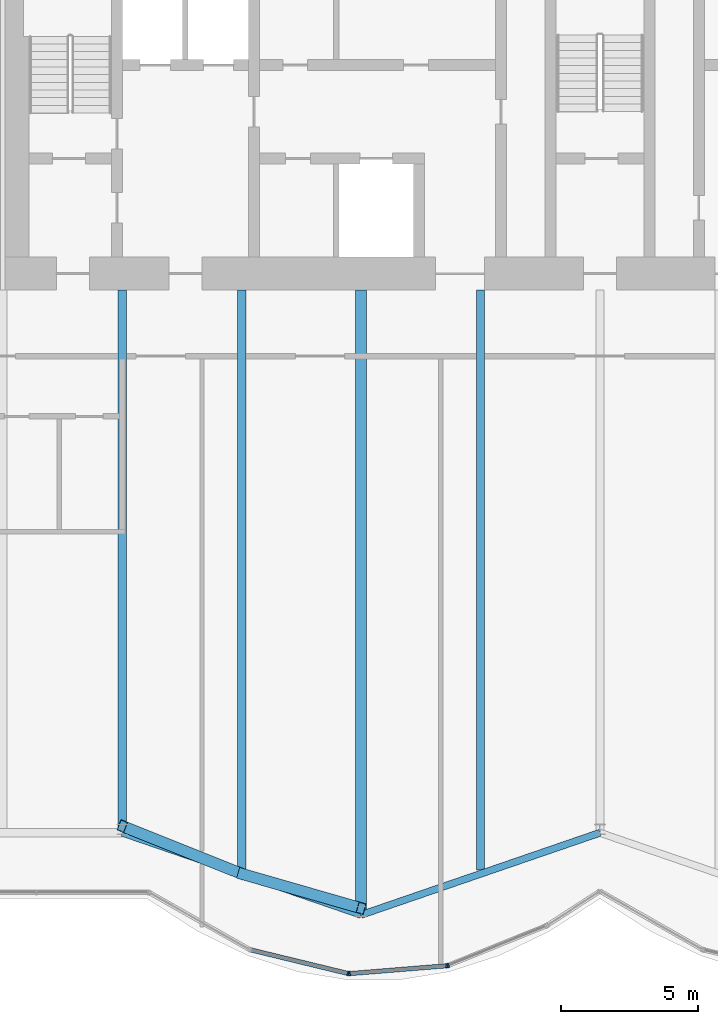
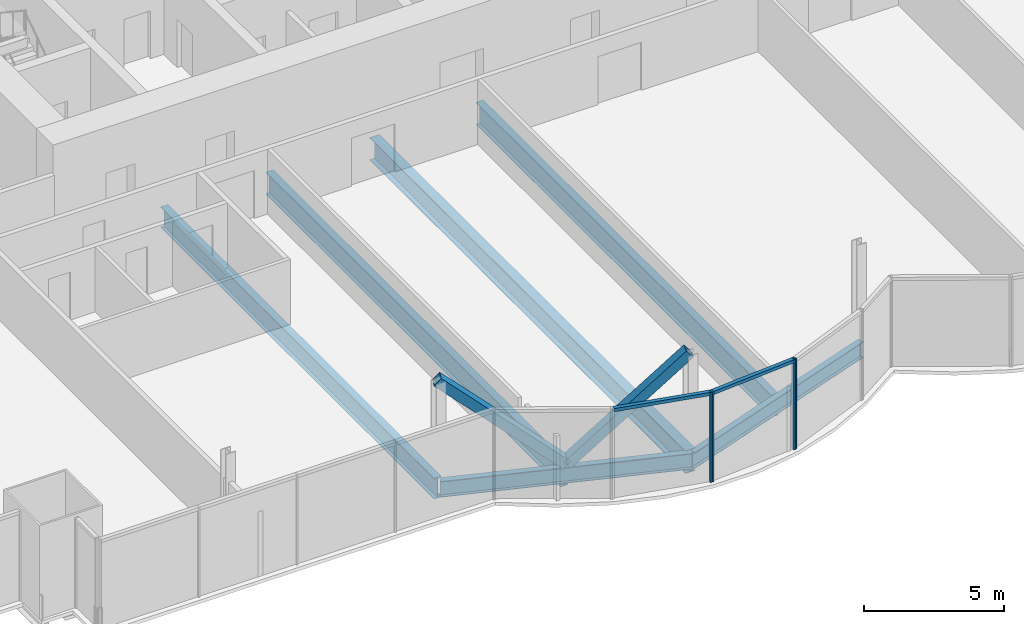
# One storey, part 6 of 21: 8 members, 6 beams, 1 element without a shape of its own.
"""IFC4 building model written with IfcOpenShell, lengths in metres."""

from ifc_helpers import new_model, si_unit, direction, frame, origin, origin_2d, place, context, subcontext, project, spatial, rectangle, hollow_rectangle, i_section, extrude, material, material_profile, profile_set, type_object, element, aggregate, save


model = new_model("IFC4")

# Units and contexts
model_context = context("Model", 3, precision=1e-05, world=origin(), true_north=direction((0.0, 1.0)))
body_context = subcontext(model_context, "Body", "Model", "MODEL_VIEW")
ifc_project = project(units=[si_unit("LENGTHUNIT", "METRE"), si_unit("AREAUNIT", "SQUARE_METRE"), si_unit("VOLUMEUNIT", "CUBIC_METRE"), si_unit("PLANEANGLEUNIT", "RADIAN"), si_unit("MASSUNIT", "GRAM", prefix="KILO")], contexts=[model_context])

# Site, building, storey
site_placement = place(None, origin())
site = spatial("IfcSite", under=ifc_project, at=site_placement, CompositionType="ELEMENT")
building_placement = place(site_placement, origin())
building = spatial("IfcBuilding", under=site, at=building_placement, Name="Bicima Exchange Tower", CompositionType="ELEMENT")
storey_placement = place(building_placement, frame((0.0, 0.0, 156.800048828125)))
storey = spatial("IfcBuildingStorey", under=building, at=storey_placement, Name="L34", CompositionType="ELEMENT", Elevation=156.800048828125)

# Beams
ifc_material_1 = material(Name="Steel ASTM A992 Gr 50", Category="steel")
ifc_material_profile_1 = material_profile(ifc_material_1, i_section(OverallWidth=0.3046875, OverallDepth=0.904296875, WebThickness=0.01513671875, FlangeThickness=0.02001953125, at=origin_2d()))
ifc_profile_set_1 = profile_set([ifc_material_profile_1], Name="Steel ASTM A992 Gr 50")
beam_type_1 = type_object("IfcBeamType", Name="Floor beam W36x135", PredefinedType="JOIST", material=ifc_profile_set_1)
beam_1_placement = place(storey_placement, frame((-17.39990234375, -13.0, -0.60205078125), z_axis=(0.0, -1.0, 0.0), x_axis=(1.0, 0.0, 0.0)))
element("IfcBeam", 1, at=beam_1_placement, inside=storey, type_object=beam_type_1, Name="Floor beam", PredefinedType="JOIST", context=body_context, shape_type="SweptSolid", body=[
    extrude(i_section(OverallWidth=0.3046875, OverallDepth=0.904296875, WebThickness=0.01513671875, FlangeThickness=0.02001953125, at=origin_2d()), origin(), (0.0, 0.0, 1.0), 19.60546875),
])
ifc_material_profile_2 = material_profile(ifc_material_1, i_section(OverallWidth=0.2998046875, OverallDepth=0.97021484375, WebThickness=0.01611328125, FlangeThickness=0.02099609375, at=origin_2d()))
ifc_profile_set_2 = profile_set([ifc_material_profile_2], Name="Steel ASTM A992 Gr 50")
beam_type_2 = type_object("IfcBeamType", Name="Floor beam W40x149", PredefinedType="JOIST", material=ifc_profile_set_2)
for number, where, z_axis, x_axis, name in (
    (2, (-13.050048828125, -13.0, -0.63525390625), (0.0, -1.0, 0.0), (1.0, 0.0, 0.0), "Floor beam"),
    (3, (-4.35009765625, -13.0, -0.63525390625), (0.0, -1.0, 0.0), (1.0, 0.0, 0.0), "Floor beam"),
):
    element("IfcBeam", number, at=place(storey_placement, frame(where, z_axis=z_axis, x_axis=x_axis)), inside=storey, type_object=beam_type_2, Name=name, PredefinedType="JOIST", context=body_context, shape_type="SweptSolid", body=[
        extrude(i_section(OverallWidth=0.2998046875, OverallDepth=0.97021484375, WebThickness=0.01611328125, FlangeThickness=0.02099609375, at=origin_2d()), origin(), (0.0, 0.0, 1.0), 21.1279296875),
    ])
ifc_material_profile_3 = material_profile(ifc_material_1, i_section(OverallWidth=0.4013671875, OverallDepth=0.990478515625, WebThickness=0.0166015625, FlangeThickness=0.031005859375, at=origin_2d()))
ifc_profile_set_3 = profile_set([ifc_material_profile_3], Name="Steel ASTM A992 Gr 50")
beam_type_3 = type_object("IfcBeamType", Name="Floor beam W40x215", PredefinedType="JOIST", material=ifc_profile_set_3)
beam_2_placement = place(storey_placement, frame((-8.699951171875, -13.0, -0.645263671875), z_axis=(0.0, -1.0, 0.0), x_axis=(1.0, 0.0, 0.0)))
element("IfcBeam", 4, at=beam_2_placement, inside=storey, type_object=beam_type_3, Name="Floor beam", PredefinedType="JOIST", context=body_context, shape_type="SweptSolid", body=[
    extrude(i_section(OverallWidth=0.4013671875, OverallDepth=0.990478515625, WebThickness=0.0166015625, FlangeThickness=0.031005859375, at=origin_2d()), origin(), (0.0, 0.0, 1.0), 22.623291015625),
])
ifc_material_profile_4 = material_profile(ifc_material_1, i_section(OverallWidth=0.256591796875, OverallDepth=0.693359375, WebThickness=0.014404296875, FlangeThickness=0.023681640625, at=origin_2d()))
ifc_profile_set_4 = profile_set([ifc_material_profile_4], Name="Steel ASTM A992 Gr 50")
beam_type_4 = type_object("IfcBeamType", Name="Front girder W27x114", PredefinedType="BEAM", material=ifc_profile_set_4)
for number, where, z_axis, x_axis, name in (
    (5, (-17.39990234375, -32.76806640625, -0.496826171875), (0.945674616091, -0.32511462668, 0.0), (0.32511462668, 0.945674616091, 0.0), "Front girder"),
    (6, (-8.699951171875, -35.759033203125, -0.496826171875), (0.945674616091, 0.32511462668, 0.0), (-0.32511462668, 0.945674616091, 0.0), "Front girder"),
):
    element("IfcBeam", number, at=place(storey_placement, frame(where, z_axis=z_axis, x_axis=x_axis)), inside=storey, type_object=beam_type_4, Name=name, PredefinedType="BEAM", context=body_context, shape_type="SweptSolid", body=[
        extrude(i_section(OverallWidth=0.256591796875, OverallDepth=0.693359375, WebThickness=0.014404296875, FlangeThickness=0.023681640625, at=origin_2d()), origin(), (0.0, 0.0, 1.0), 9.19970703125),
    ])

# Curtain wall, members
ifc_material_2 = material(Name="Anodised bronze aluminium", Category="aluminium")
curtain_wall_type = type_object("IfcCurtainWallType", Name="Front glass wall", PredefinedType="NOTDEFINED", material=ifc_material_2)
curtain_wall_placement = place(storey_placement, origin())
curtain_wall = element("IfcCurtainWall", 7, at=curtain_wall_placement, inside=storey, type_object=curtain_wall_type, Name="Front glass wall L34 run 6", PredefinedType="NOTDEFINED")
ifc_material_profile_5 = material_profile(ifc_material_2, rectangle(XDim=0.159912109375, YDim=0.06005859375, at=origin_2d()))
ifc_profile_set_5 = profile_set([ifc_material_profile_5], Name="Anodised bronze aluminium")
member_type_1 = type_object("IfcMemberType", Name="Front glass wall mullion 60 x 160", PredefinedType="MULLION", material=ifc_profile_set_5)
member_1_placement = place(storey_placement, frame((-9.177490234375, -37.893798828125, 0.0), z_axis=(0.0, 0.0, 1.0), x_axis=(0.235681529503, 0.971830343553, 0.0)))
member_1 = element("IfcMember", 8, at=member_1_placement, type_object=member_type_1, Name="Front glass wall mullion 2", PredefinedType="MULLION", context=body_context, shape_type="SweptSolid", body=[
    extrude(rectangle(XDim=0.159912109375, YDim=0.06005859375, at=origin_2d()), origin(), (0.0, 0.0, 1.0), 3.949951171875),
])
member_2_placement = place(storey_placement, frame((-9.118408203125, -37.898681640625, 0.0), z_axis=(0.0, 0.0, 1.0), x_axis=(-0.080588612633, 0.99674744821, 0.0)))
member_2 = element("IfcMember", 9, at=member_2_placement, type_object=member_type_1, Name="Front glass wall mullion 1", PredefinedType="MULLION", context=body_context, shape_type="SweptSolid", body=[
    extrude(rectangle(XDim=0.159912109375, YDim=0.06005859375, at=origin_2d()), origin(), (0.0, 0.0, 1.0), 3.949951171875),
])
member_3_placement = place(storey_placement, frame((-5.583984375, -37.61279296875, 0.0), z_axis=(0.0, 0.0, 1.0), x_axis=(-0.080588612633, 0.99674744821, 0.0)))
member_3 = element("IfcMember", 10, at=member_3_placement, type_object=member_type_1, Name="Front glass wall mullion 2", PredefinedType="MULLION", context=body_context, shape_type="SweptSolid", body=[
    extrude(rectangle(XDim=0.159912109375, YDim=0.06005859375, at=origin_2d()), origin(), (0.0, 0.0, 1.0), 3.949951171875),
])
member_4_placement = place(storey_placement, frame((-5.526123046875, -37.59912109375, 0.0), z_axis=(0.0, 0.0, 1.0), x_axis=(-0.374705304, 0.92714396679, 0.0)))
member_4 = element("IfcMember", 11, at=member_4_placement, type_object=member_type_1, Name="Front glass wall mullion 1", PredefinedType="MULLION", context=body_context, shape_type="SweptSolid", body=[
    extrude(rectangle(XDim=0.159912109375, YDim=0.06005859375, at=origin_2d()), origin(), (0.0, 0.0, 1.0), 3.949951171875),
])
ifc_material_profile_6 = material_profile(ifc_material_2, rectangle(XDim=0.159912109375, YDim=0.139892578125, at=origin_2d()))
ifc_profile_set_6 = profile_set([ifc_material_profile_6], Name="Anodised bronze aluminium")
member_type_2 = type_object("IfcMemberType", Name="Front glass wall transom 140 x 160", PredefinedType="USERDEFINED", material=ifc_profile_set_6)
member_5_placement = place(storey_placement, frame((-12.68896484375, -37.042236328125, 3.8798828125), z_axis=(0.971817951661, -0.235732621477, 0.0), x_axis=(0.235732621477, 0.971817951661, 0.0)))
member_5 = element("IfcMember", 12, at=member_5_placement, type_object=member_type_2, Name="Front glass wall transom 1.1", ObjectType="TRANSOM", PredefinedType="USERDEFINED", context=body_context, shape_type="SweptSolid", body=[
    extrude(rectangle(XDim=0.159912109375, YDim=0.139892578125, at=origin_2d()), origin(), (0.0, 0.0, 1.0), 3.58349609375),
])
member_6_placement = place(storey_placement, frame((-9.08837890625, -37.896240234375, 3.8798828125), z_axis=(0.9967456465, 0.080610893699, 0.0), x_axis=(-0.080610893699, 0.9967456465, 0.0)))
member_6 = element("IfcMember", 13, at=member_6_placement, type_object=member_type_2, Name="Front glass wall transom 1.1", ObjectType="TRANSOM", PredefinedType="USERDEFINED", context=body_context, shape_type="SweptSolid", body=[
    extrude(rectangle(XDim=0.159912109375, YDim=0.139892578125, at=origin_2d()), origin(), (0.0, 0.0, 1.0), 3.48583984375),
])
aggregate(curtain_wall, [member_1, member_5, member_2, member_3, member_6, member_4])

# Members
ifc_material_3 = material(Name="Steel ASTM A572 Gr 50", Category="steel")
ifc_material_profile_7 = material_profile(ifc_material_3, hollow_rectangle(XDim=0.406494140625, YDim=0.406494140625, WallThickness=0.017822265625, at=origin_2d()))
ifc_profile_set_7 = profile_set([ifc_material_profile_7], Name="Steel ASTM A572 Gr 50")
member_type_3 = type_object("IfcMemberType", Name="Mega brace HSS16x16x3/4", PredefinedType="BRACE", material=ifc_profile_set_7)
member_7_placement = place(storey_placement, frame((-13.050048828125, -34.263427734375, 0.0), z_axis=(0.712280173437, -0.204953443103, 0.671305474943), x_axis=(0.276522876258, 0.961007335511, 0.0)))
element("IfcMember", 14, at=member_7_placement, inside=storey, type_object=member_type_3, Name="Mega brace front", PredefinedType="BRACE", context=body_context, shape_type="SweptSolid", body=[
    extrude(hollow_rectangle(XDim=0.406494140625, YDim=0.406494140625, WallThickness=0.017822265625, at=origin_2d()), origin(), (0.0, 0.0, 1.0), 6.107177734375),
])
member_8_placement = place(storey_placement, frame((-13.050048828125, -34.263427734375, 0.0), z_axis=(-0.69872416977, 0.279419077825, 0.658566255988), x_axis=(-0.371309808925, -0.928509033772, 0.0)))
element("IfcMember", 15, at=member_8_placement, inside=storey, type_object=member_type_3, Name="Mega brace front", PredefinedType="BRACE", context=body_context, shape_type="SweptSolid", body=[
    extrude(hollow_rectangle(XDim=0.406494140625, YDim=0.406494140625, WallThickness=0.017822265625, at=origin_2d()), origin(), (0.0, 0.0, 1.0), 6.225341796875),
])

save(model, "model.ifc")
